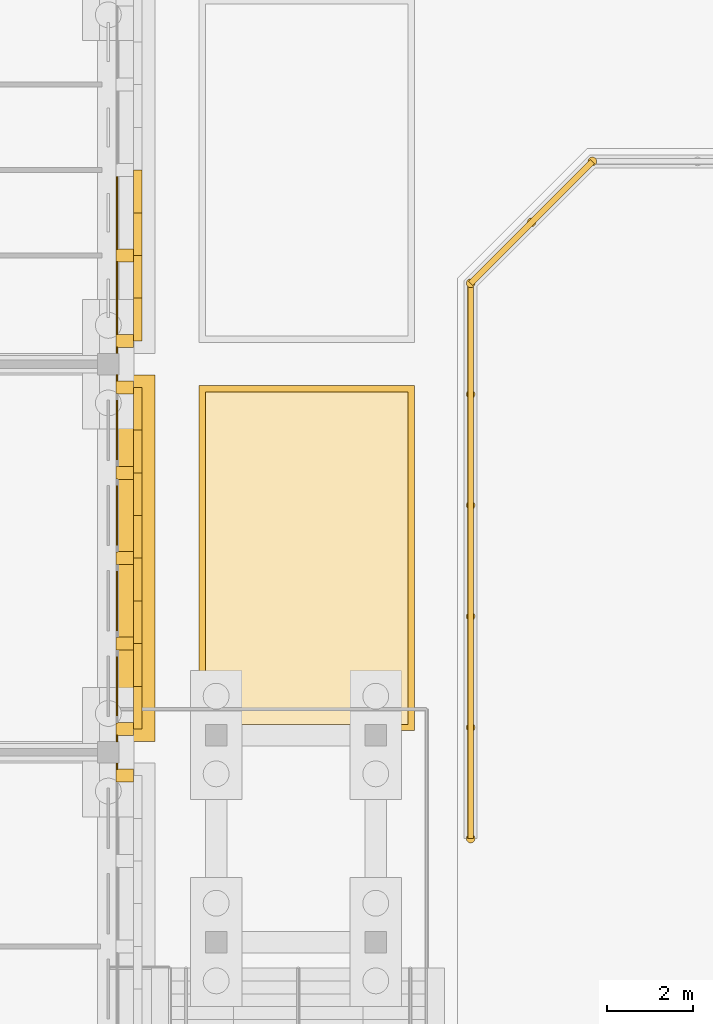
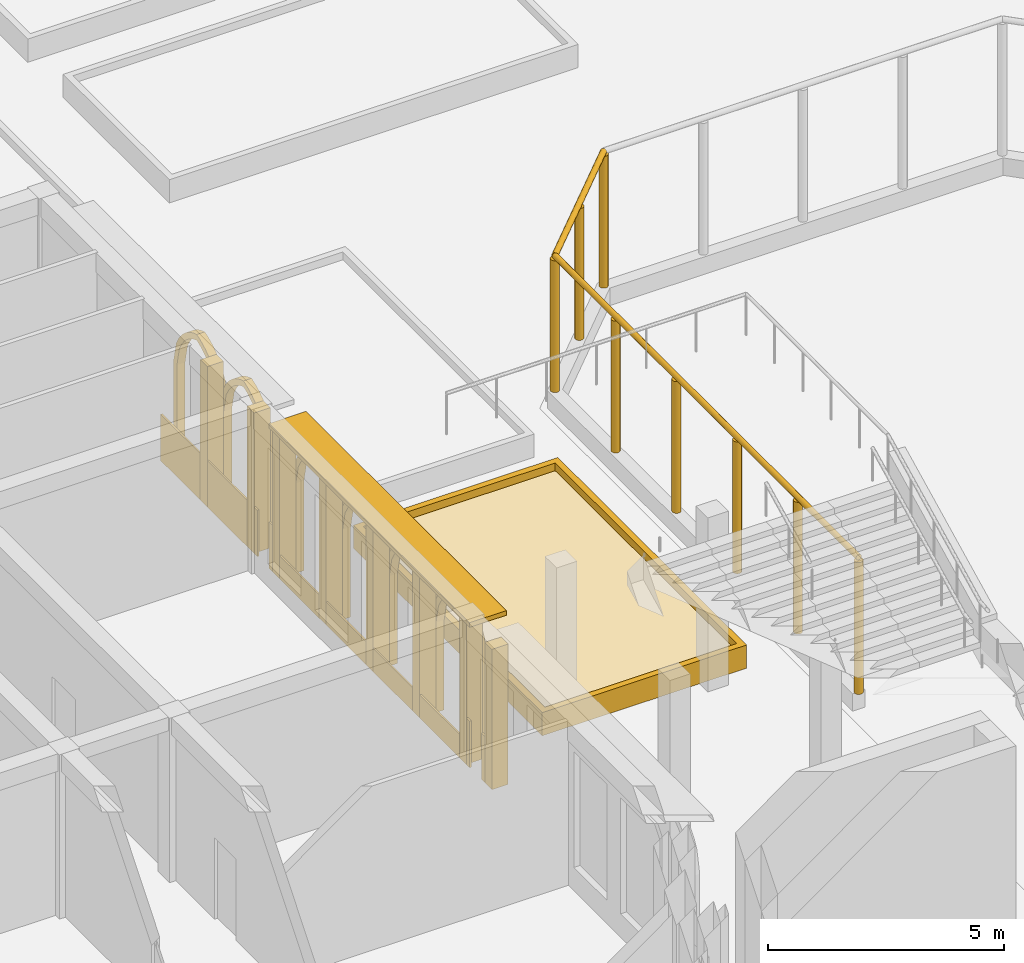
# One storey, part 139 of 161: 26 coverings, 2 railings, 1 shading device.
"""IFC4 building model written with IfcOpenShell, lengths in metres."""

from ifc_helpers import new_model, si_unit, direction, frame, origin, origin_2d, place, context, subcontext, project, spatial, polyline, rectangle, circle, outline, extrude, material, layer, layer_set, type_object, element, save


model = new_model("IFC4")

# Units and contexts
model_context = context("Model", 3, precision=1e-05, world=origin(), true_north=direction((0.0, 1.0)))
body_context = subcontext(model_context, "Body", "Model", "MODEL_VIEW")
ifc_project = project(units=[si_unit("LENGTHUNIT", "METRE"), si_unit("AREAUNIT", "SQUARE_METRE"), si_unit("VOLUMEUNIT", "CUBIC_METRE"), si_unit("PLANEANGLEUNIT", "RADIAN"), si_unit("MASSUNIT", "GRAM", prefix="KILO")], contexts=[model_context])

# Site, building, storey
site_placement = place(None, origin())
site = spatial("IfcSite", under=ifc_project, at=site_placement, CompositionType="ELEMENT")
building_placement = place(site_placement, origin())
building = spatial("IfcBuilding", under=site, at=building_placement, Name="Elbe Cascade School", CompositionType="ELEMENT")
storey_placement = place(building_placement, origin())
storey = spatial("IfcBuildingStorey", under=building, at=storey_placement, Name="L00", CompositionType="ELEMENT", Elevation=0.0)

# Railings
ifc_material_1 = material(Name="Steel S355J2H", Category="steel")
railing_type = type_object("IfcRailingType", Name="Ball-stop fence 4000", PredefinedType="USERDEFINED", material=ifc_material_1)
railing_1_placement = place(storey_placement, frame((186.124267578125, 55.699951171875, 0.449951171875)))
element("IfcRailing", 1, at=railing_1_placement, inside=storey, type_object=railing_type, Name="Ball-stop fence north west", ObjectType="BALL-STOP FENCE", PredefinedType="USERDEFINED", context=body_context, shape_type="SweptSolid", body=[
    extrude(circle(Radius=0.06982421875, at=origin_2d()), frame((0.0, 0.0, 3.47998046875), z_axis=(-0.707106781187, -0.707106781187, 0.0), x_axis=(0.707106781187, -0.707106781187, 0.0)), (0.0, 0.0, 1.0), 3.994140625),
    extrude(circle(Radius=0.10009765625, at=origin_2d()), origin(), (0.0, 0.0, 1.0), 3.41015625),
    extrude(circle(Radius=0.10009765625, at=origin_2d()), frame((-1.412109375, -1.412109375, 0.0)), (0.0, 0.0, 1.0), 3.41015625),
    extrude(circle(Radius=0.10009765625, at=origin_2d()), frame((-2.82421875, -2.82421875, 0.0)), (0.0, 0.0, 1.0), 3.41015625),
])
railing_2_placement = place(storey_placement, frame((183.300048828125, 52.875732421875, 0.449951171875)))
element("IfcRailing", 2, at=railing_2_placement, inside=storey, type_object=railing_type, Name="Ball-stop fence west 1", ObjectType="BALL-STOP FENCE", PredefinedType="USERDEFINED", context=body_context, shape_type="SweptSolid", body=[
    extrude(circle(Radius=0.06982421875, at=origin_2d()), frame((0.0, 0.0, 3.47998046875), z_axis=(0.0, -1.0, 0.0), x_axis=(1.0, 0.0, 0.0)), (0.0, 0.0, 1.0), 12.875732421875),
    extrude(circle(Radius=0.10009765625, at=origin_2d()), origin(), (0.0, 0.0, 1.0), 3.41015625),
    extrude(circle(Radius=0.10009765625, at=origin_2d()), frame((0.0, -2.5751953125, 0.0)), (0.0, 0.0, 1.0), 3.41015625),
    extrude(circle(Radius=0.10009765625, at=origin_2d()), frame((0.0, -5.150390625, 0.0)), (0.0, 0.0, 1.0), 3.41015625),
    extrude(circle(Radius=0.10009765625, at=origin_2d()), frame((0.0, -7.725341796875, 0.0)), (0.0, 0.0, 1.0), 3.41015625),
    extrude(circle(Radius=0.10009765625, at=origin_2d()), frame((0.0, -10.300537109375, 0.0)), (0.0, 0.0, 1.0), 3.41015625),
    extrude(circle(Radius=0.10009765625, at=origin_2d()), frame((0.0, -12.875732421875, 0.0)), (0.0, 0.0, 1.0), 3.41015625),
])

# Shading device
ifc_material_2 = material(Name="Precast concrete C30/37", Category="concrete")
ifc_layer_1 = layer(ifc_material_2, 0.1201171875)
ifc_layer_set_1 = layer_set([ifc_layer_1], Name="Precast concrete C30/37")
shading_device_type = type_object("IfcShadingDeviceType", Name="Bars envelope Chhajja eave, precast concrete, 900 x 120", PredefinedType="USERDEFINED", material=ifc_layer_set_1)
shading_device_placement = place(storey_placement, frame((175.530029296875, 46.5, 3.6298828125), z_axis=(0.0, 0.0, 1.0), x_axis=(0.0, 1.0, 0.0)))
element("IfcShadingDevice", 3, at=shading_device_placement, inside=storey, type_object=shading_device_type, Name="Chhajja eave SD2 D.L00.e5", ObjectType="CHHAJJA", PredefinedType="USERDEFINED", context=body_context, shape_type="SweptSolid", body=[
    extrude(rectangle(XDim=8.5, YDim=0.89990234375, at=origin_2d()), origin(), (0.0, 0.0, 1.0), 0.1201171875),
])

# Coverings
ifc_material_3 = material(Name="Precast concrete C40/50", Category="concrete")
covering_type_1 = type_object("IfcCoveringType", Name="Bars envelope Precast concrete fin, 300 wide, 400 deep", PredefinedType="CLADDING", material=ifc_material_3)
for number, where, z_axis, x_axis, name in (
    (4, (175.280029296875, 41.4599609375, 0.0), (0.0, 0.0, 1.0), (0.0, 1.0, 0.0), "Fin CV67 D.L00.e4.5"),
    (5, (175.280029296875, 42.5400390625, 0.0), (0.0, 0.0, 1.0), (0.0, 1.0, 0.0), "Fin CV67 D.L00.e5.1"),
    (6, (175.280029296875, 44.52001953125, 0.0), (0.0, 0.0, 1.0), (0.0, 1.0, 0.0), "Fin CV67 D.L00.e5.2"),
    (7, (175.280029296875, 46.5, 0.0), (0.0, 0.0, 1.0), (0.0, 1.0, 0.0), "Fin CV67 D.L00.e5.3"),
    (8, (175.280029296875, 48.47998046875, 0.0), (0.0, 0.0, 1.0), (0.0, 1.0, 0.0), "Fin CV67 D.L00.e5.4"),
    (9, (175.280029296875, 50.4599609375, 0.0), (0.0, 0.0, 1.0), (0.0, 1.0, 0.0), "Fin CV67 D.L00.e5.5"),
    (10, (175.280029296875, 51.5400390625, 0.0), (0.0, 0.0, 1.0), (0.0, 1.0, 0.0), "Fin CV67 D.L00.e6.1"),
    (11, (175.280029296875, 53.52001953125, 0.0), (0.0, 0.0, 1.0), (0.0, 1.0, 0.0), "Fin CV67 D.L00.e6.2"),
):
    element("IfcCovering", number, at=place(storey_placement, frame(where, z_axis=z_axis, x_axis=x_axis)), inside=storey, type_object=covering_type_1, Name=name, PredefinedType="CLADDING", context=body_context, shape_type="SweptSolid", body=[
        extrude(rectangle(XDim=0.300048828125, YDim=0.39990234375, at=origin_2d()), origin(), (0.0, 0.0, 1.0), 3.6298828125),
    ])
ifc_material_4 = material(Name="Sandstone - red", Category="masonry")
ifc_layer_2 = layer(ifc_material_4, 0.0400390625)
ifc_layer_set_2 = layer_set([ifc_layer_2], Name="Sandstone - red")
covering_type_2 = type_object("IfcCoveringType", Name="Bars envelope Sandstone cladding, red, 40 mm", PredefinedType="CLADDING", material=ifc_layer_set_2)
for number, where, z_axis, x_axis, name in (
    (12, (175.10009765625, 41.679931640625, 0.0), (0.0, 0.0, 1.0), (0.0, 1.0, 0.0), "Sandstone cladding CV48 D.L00.e.4.6"),
    (13, (175.10009765625, 42.320068359375, 0.0), (0.0, 0.0, 1.0), (0.0, 1.0, 0.0), "Sandstone cladding CV48 D.L00.e.5.1"),
):
    element("IfcCovering", number, at=place(storey_placement, frame(where, z_axis=z_axis, x_axis=x_axis)), inside=storey, type_object=covering_type_2, Name=name, PredefinedType="CLADDING", context=body_context, shape_type="SweptSolid", body=[
        extrude(rectangle(XDim=0.139892578125, YDim=0.0400390625, at=origin_2d()), origin(), (0.0, 0.0, 1.0), 1.199951171875),
    ])
for number, where, z_axis, x_axis, name in (
    (14, (175.10009765625, 43.530029296875, 0.0), (0.0, 0.0, 1.0), (0.0, 1.0, 0.0), "Sandstone cladding CV48 D.L00.e.5.2"),
    (15, (175.10009765625, 45.510009765625, 0.0), (0.0, 0.0, 1.0), (0.0, 1.0, 0.0), "Sandstone cladding CV48 D.L00.e.5.3"),
    (16, (175.10009765625, 47.489990234375, 0.0), (0.0, 0.0, 1.0), (0.0, 1.0, 0.0), "Sandstone cladding CV48 D.L00.e.5.4"),
    (17, (175.10009765625, 49.469970703125, 0.0), (0.0, 0.0, 1.0), (0.0, 1.0, 0.0), "Sandstone cladding CV48 D.L00.e.5.5"),
):
    element("IfcCovering", number, at=place(storey_placement, frame(where, z_axis=z_axis, x_axis=x_axis)), inside=storey, type_object=covering_type_2, Name=name, PredefinedType="CLADDING", context=body_context, shape_type="SweptSolid", body=[
        extrude(rectangle(XDim=1.679931640625, YDim=0.0400390625, at=origin_2d()), origin(), (0.0, 0.0, 1.0), 0.60009765625),
    ])
for number, where, z_axis, x_axis, name in (
    (18, (175.10009765625, 50.679931640625, 0.0), (0.0, 0.0, 1.0), (0.0, 1.0, 0.0), "Sandstone cladding CV48 D.L00.e.5.6"),
    (19, (175.10009765625, 51.320068359375, 0.0), (0.0, 0.0, 1.0), (0.0, 1.0, 0.0), "Sandstone cladding CV48 D.L00.e.6.1"),
):
    element("IfcCovering", number, at=place(storey_placement, frame(where, z_axis=z_axis, x_axis=x_axis)), inside=storey, type_object=covering_type_2, Name=name, PredefinedType="CLADDING", context=body_context, shape_type="SweptSolid", body=[
        extrude(rectangle(XDim=0.139892578125, YDim=0.0400390625, at=origin_2d()), origin(), (0.0, 0.0, 1.0), 1.199951171875),
    ])
for number, where, z_axis, x_axis, name in (
    (20, (175.10009765625, 52.530029296875, 0.0), (0.0, 0.0, 1.0), (0.0, 1.0, 0.0), "Sandstone cladding CV48 D.L00.e.6.2"),
    (21, (175.10009765625, 54.510009765625, 0.0), (0.0, 0.0, 1.0), (0.0, 1.0, 0.0), "Sandstone cladding CV48 D.L00.e.6.3"),
):
    element("IfcCovering", number, at=place(storey_placement, frame(where, z_axis=z_axis, x_axis=x_axis)), inside=storey, type_object=covering_type_2, Name=name, PredefinedType="CLADDING", context=body_context, shape_type="SweptSolid", body=[
        extrude(rectangle(XDim=1.679931640625, YDim=0.0400390625, at=origin_2d()), origin(), (0.0, 0.0, 1.0), 1.199951171875),
    ])
ifc_material_5 = material(Name="Sandstone - red", Category="masonry")
covering_type_3 = type_object("IfcCoveringType", Name="Bars envelope Sandstone pointed arch band, 1980 wide, 200 deep", PredefinedType="CLADDING", material=ifc_material_5)
covering_1_placement = place(storey_placement, frame((175.679931640625, 42.68994140625, 0.0), z_axis=(1.0, 0.0, 0.0), x_axis=(0.0, 0.0, 1.0)))
element("IfcCovering", 22, at=covering_1_placement, inside=storey, type_object=covering_type_3, Name="Arcade arch CV68 D.L00.e5.1", PredefinedType="CLADDING", context=body_context, shape_type="SweptSolid", body=[
    extrude(outline(polyline([(0.0, 0.0), (2.330078125, 0.0), (2.822509765625, -0.10498046875), (3.010498046875, -0.2099609375), (3.143310546875, -0.31494140625), (3.2451171875, -0.420166015625), (3.325927734375, -0.525146484375), (3.390380859375, -0.630126953125), (3.44091796875, -0.735107421875), (3.47998046875, -0.840087890625), (3.44091796875, -0.945068359375), (3.390380859375, -1.050048828125), (3.325927734375, -1.155029296875), (3.2451171875, -1.260009765625), (3.143310546875, -1.364990234375), (3.010498046875, -1.469970703125), (2.822509765625, -1.574951171875), (2.330078125, -1.68017578125), (0.0, -1.68017578125), (0.0, -1.830078125), (2.330078125, -1.830078125), (2.894287109375, -1.706298828125), (3.108642578125, -1.58251953125), (3.25927734375, -1.458740234375), (3.3740234375, -1.3349609375), (3.464111328125, -1.211181640625), (3.53466796875, -1.087646484375), (3.58935546875, -0.9638671875), (3.6298828125, -0.840087890625), (3.58935546875, -0.71630859375), (3.53466796875, -0.592529296875), (3.464111328125, -0.46875), (3.3740234375, -0.344970703125), (3.25927734375, -0.221435546875), (3.108642578125, -0.09765625), (2.894287109375, 0.026123046875), (2.330078125, 0.14990234375), (0.0, 0.14990234375), (0.0, 0.0)])), origin(), (0.0, 0.0, -1.0), 0.199951171875),
])
covering_2_placement = place(storey_placement, frame((175.679931640625, 44.669921875, 0.0), z_axis=(1.0, 0.0, 0.0), x_axis=(0.0, 0.0, 1.0)))
element("IfcCovering", 23, at=covering_2_placement, inside=storey, type_object=covering_type_3, Name="Arcade arch CV68 D.L00.e5.2", PredefinedType="CLADDING", context=body_context, shape_type="SweptSolid", body=[
    extrude(outline(polyline([(0.0, 0.0), (2.330078125, 0.0), (2.822509765625, -0.10498046875), (3.010498046875, -0.2099609375), (3.143310546875, -0.315185546875), (3.2451171875, -0.420166015625), (3.325927734375, -0.525146484375), (3.390380859375, -0.630126953125), (3.44091796875, -0.735107421875), (3.47998046875, -0.840087890625), (3.44091796875, -0.945068359375), (3.390380859375, -1.050048828125), (3.325927734375, -1.155029296875), (3.2451171875, -1.260009765625), (3.143310546875, -1.364990234375), (3.010498046875, -1.469970703125), (2.822509765625, -1.5751953125), (2.330078125, -1.68017578125), (0.0, -1.68017578125), (0.0, -1.830078125), (2.330078125, -1.830078125), (2.894287109375, -1.706298828125), (3.108642578125, -1.58251953125), (3.25927734375, -1.458740234375), (3.3740234375, -1.3349609375), (3.464111328125, -1.211181640625), (3.53466796875, -1.087646484375), (3.58935546875, -0.9638671875), (3.6298828125, -0.840087890625), (3.58935546875, -0.71630859375), (3.53466796875, -0.592529296875), (3.464111328125, -0.46875), (3.3740234375, -0.344970703125), (3.25927734375, -0.22119140625), (3.108642578125, -0.09765625), (2.894287109375, 0.026123046875), (2.330078125, 0.14990234375), (0.0, 0.14990234375), (0.0, 0.0)])), origin(), (0.0, 0.0, -1.0), 0.199951171875),
])
covering_3_placement = place(storey_placement, frame((175.679931640625, 46.64990234375, 0.0), z_axis=(1.0, 0.0, 0.0), x_axis=(0.0, 0.0, 1.0)))
element("IfcCovering", 24, at=covering_3_placement, inside=storey, type_object=covering_type_3, Name="Arcade arch CV68 D.L00.e5.3", PredefinedType="CLADDING", context=body_context, shape_type="SweptSolid", body=[
    extrude(outline(polyline([(0.0, 0.0), (2.330078125, 0.0), (2.822509765625, -0.10498046875), (3.010498046875, -0.210205078125), (3.143310546875, -0.315185546875), (3.2451171875, -0.420166015625), (3.325927734375, -0.525146484375), (3.390380859375, -0.630126953125), (3.44091796875, -0.735107421875), (3.47998046875, -0.840087890625), (3.44091796875, -0.945068359375), (3.390380859375, -1.050048828125), (3.325927734375, -1.155029296875), (3.2451171875, -1.260009765625), (3.143310546875, -1.364990234375), (3.010498046875, -1.47021484375), (2.822509765625, -1.5751953125), (2.330078125, -1.68017578125), (0.0, -1.68017578125), (0.0, -1.830078125), (2.330078125, -1.830078125), (2.894287109375, -1.706298828125), (3.108642578125, -1.58251953125), (3.25927734375, -1.458740234375), (3.3740234375, -1.335205078125), (3.464111328125, -1.211181640625), (3.53466796875, -1.087646484375), (3.58935546875, -0.9638671875), (3.6298828125, -0.840087890625), (3.58935546875, -0.71630859375), (3.53466796875, -0.592529296875), (3.464111328125, -0.46875), (3.3740234375, -0.34521484375), (3.25927734375, -0.22119140625), (3.108642578125, -0.09765625), (2.894287109375, 0.026123046875), (2.330078125, 0.14990234375), (0.0, 0.14990234375), (0.0, 0.0)])), origin(), (0.0, 0.0, -1.0), 0.199951171875),
])
covering_4_placement = place(storey_placement, frame((175.679931640625, 48.6298828125, 0.0), z_axis=(1.0, 0.0, 0.0), x_axis=(0.0, 0.0, 1.0)))
element("IfcCovering", 25, at=covering_4_placement, inside=storey, type_object=covering_type_3, Name="Arcade arch CV68 D.L00.e5.4", PredefinedType="CLADDING", context=body_context, shape_type="SweptSolid", body=[
    extrude(outline(polyline([(0.0, 0.0), (2.330078125, 0.0), (2.822509765625, -0.105224609375), (3.010498046875, -0.210205078125), (3.143310546875, -0.315185546875), (3.2451171875, -0.420166015625), (3.325927734375, -0.525146484375), (3.390380859375, -0.630126953125), (3.44091796875, -0.735107421875), (3.47998046875, -0.840087890625), (3.44091796875, -0.945068359375), (3.390380859375, -1.050048828125), (3.325927734375, -1.155029296875), (3.2451171875, -1.260009765625), (3.143310546875, -1.365234375), (3.010498046875, -1.47021484375), (2.822509765625, -1.5751953125), (2.330078125, -1.68017578125), (0.0, -1.68017578125), (0.0, -1.830078125), (2.330078125, -1.830078125), (2.894287109375, -1.706298828125), (3.108642578125, -1.58251953125), (3.25927734375, -1.458740234375), (3.3740234375, -1.335205078125), (3.464111328125, -1.21142578125), (3.53466796875, -1.087646484375), (3.58935546875, -0.9638671875), (3.6298828125, -0.840087890625), (3.58935546875, -0.71630859375), (3.53466796875, -0.592529296875), (3.464111328125, -0.468994140625), (3.3740234375, -0.34521484375), (3.25927734375, -0.221435546875), (3.108642578125, -0.09765625), (2.894287109375, 0.026123046875), (2.330078125, 0.14990234375), (0.0, 0.14990234375), (0.0, 0.0)])), origin(), (0.0, 0.0, -1.0), 0.199951171875),
])
covering_5_placement = place(storey_placement, frame((175.679931640625, 51.68994140625, 0.0), z_axis=(1.0, 0.0, 0.0), x_axis=(0.0, 0.0, 1.0)))
element("IfcCovering", 26, at=covering_5_placement, inside=storey, type_object=covering_type_3, Name="Arcade arch CV68 D.L00.e6.1", PredefinedType="CLADDING", context=body_context, shape_type="SweptSolid", body=[
    extrude(outline(polyline([(0.0, 0.0), (2.330078125, 0.0), (2.822509765625, -0.10498046875), (3.010498046875, -0.2099609375), (3.143310546875, -0.31494140625), (3.2451171875, -0.420166015625), (3.325927734375, -0.525146484375), (3.390380859375, -0.630126953125), (3.44091796875, -0.735107421875), (3.47998046875, -0.840087890625), (3.44091796875, -0.945068359375), (3.390380859375, -1.050048828125), (3.325927734375, -1.155029296875), (3.2451171875, -1.260009765625), (3.143310546875, -1.364990234375), (3.010498046875, -1.469970703125), (2.822509765625, -1.574951171875), (2.330078125, -1.68017578125), (0.0, -1.68017578125), (0.0, -1.830078125), (2.330078125, -1.830078125), (2.894287109375, -1.706298828125), (3.108642578125, -1.58251953125), (3.25927734375, -1.458740234375), (3.3740234375, -1.3349609375), (3.464111328125, -1.211181640625), (3.53466796875, -1.087646484375), (3.58935546875, -0.9638671875), (3.6298828125, -0.840087890625), (3.58935546875, -0.71630859375), (3.53466796875, -0.592529296875), (3.464111328125, -0.46875), (3.3740234375, -0.344970703125), (3.25927734375, -0.221435546875), (3.108642578125, -0.09765625), (2.894287109375, 0.026123046875), (2.330078125, 0.14990234375), (0.0, 0.14990234375), (0.0, 0.0)])), origin(), (0.0, 0.0, -1.0), 0.199951171875),
])
covering_6_placement = place(storey_placement, frame((175.679931640625, 53.669921875, 0.0), z_axis=(1.0, 0.0, 0.0), x_axis=(0.0, 0.0, 1.0)))
element("IfcCovering", 27, at=covering_6_placement, inside=storey, type_object=covering_type_3, Name="Arcade arch CV68 D.L00.e6.2", PredefinedType="CLADDING", context=body_context, shape_type="SweptSolid", body=[
    extrude(outline(polyline([(0.0, 0.0), (2.330078125, 0.0), (2.822509765625, -0.10498046875), (3.010498046875, -0.2099609375), (3.143310546875, -0.315185546875), (3.2451171875, -0.420166015625), (3.325927734375, -0.525146484375), (3.390380859375, -0.630126953125), (3.44091796875, -0.735107421875), (3.47998046875, -0.840087890625), (3.44091796875, -0.945068359375), (3.390380859375, -1.050048828125), (3.325927734375, -1.155029296875), (3.2451171875, -1.260009765625), (3.143310546875, -1.364990234375), (3.010498046875, -1.469970703125), (2.822509765625, -1.5751953125), (2.330078125, -1.68017578125), (0.0, -1.68017578125), (0.0, -1.830078125), (2.330078125, -1.830078125), (2.894287109375, -1.706298828125), (3.108642578125, -1.58251953125), (3.25927734375, -1.458740234375), (3.3740234375, -1.3349609375), (3.464111328125, -1.211181640625), (3.53466796875, -1.087646484375), (3.58935546875, -0.9638671875), (3.6298828125, -0.840087890625), (3.58935546875, -0.71630859375), (3.53466796875, -0.592529296875), (3.464111328125, -0.46875), (3.3740234375, -0.344970703125), (3.25927734375, -0.22119140625), (3.108642578125, -0.09765625), (2.894287109375, 0.026123046875), (2.330078125, 0.14990234375), (0.0, 0.14990234375), (0.0, 0.0)])), origin(), (0.0, 0.0, -1.0), 0.199951171875),
])
ifc_material_6 = material(Name="Planting - soil and shrubs", Category="soil")
ifc_layer_3 = layer(ifc_material_6, 0.39990234375)
ifc_layer_set_3 = layer_set([ifc_layer_3], Name="Planting - soil and shrubs")
covering_type_4 = type_object("IfcCoveringType", Name="Site planting bed 400", PredefinedType="USERDEFINED", material=ifc_layer_set_3)
covering_7_placement = place(storey_placement, origin())
element("IfcCovering", 28, at=covering_7_placement, inside=storey, type_object=covering_type_4, Name="Deck planting bed east.2", ObjectType="PLANTING BED", PredefinedType="USERDEFINED", context=body_context, shape_type="SweptSolid", body=[
    extrude(outline(polyline([(177.14990234375, 42.64990234375), (181.85009765625, 42.64990234375), (181.85009765625, 50.35009765625), (177.14990234375, 50.35009765625), (177.14990234375, 42.64990234375)])), origin(), (0.0, 0.0, 1.0), 0.39990234375),
])
ifc_material_7 = material(Name="Concrete C30/37 precast kerb", Category="concrete")
ifc_layer_4 = layer(ifc_material_7, 0.14990234375)
ifc_layer_set_4 = layer_set([ifc_layer_4], Name="Concrete C30/37 precast kerb")
covering_type_5 = type_object("IfcCoveringType", Name="Site planting bed kerb 150x600", PredefinedType="CLADDING", material=ifc_layer_set_4)
covering_8_placement = place(storey_placement, origin())
element("IfcCovering", 29, at=covering_8_placement, inside=storey, type_object=covering_type_5, Name="Deck planting bed kerb east.2", PredefinedType="CLADDING", context=body_context, shape_type="SweptSolid", body=[
    extrude(outline(polyline([(177.0, 42.5), (182.0, 42.5), (182.0, 50.5), (177.0, 50.5), (177.0, 42.5)]), holes=[polyline([(177.14990234375, 42.64990234375), (181.85009765625, 42.64990234375), (181.85009765625, 50.35009765625), (177.14990234375, 50.35009765625), (177.14990234375, 42.64990234375)])]), origin(), (0.0, 0.0, 1.0), 0.60009765625),
])

save(model, "model.ifc")
